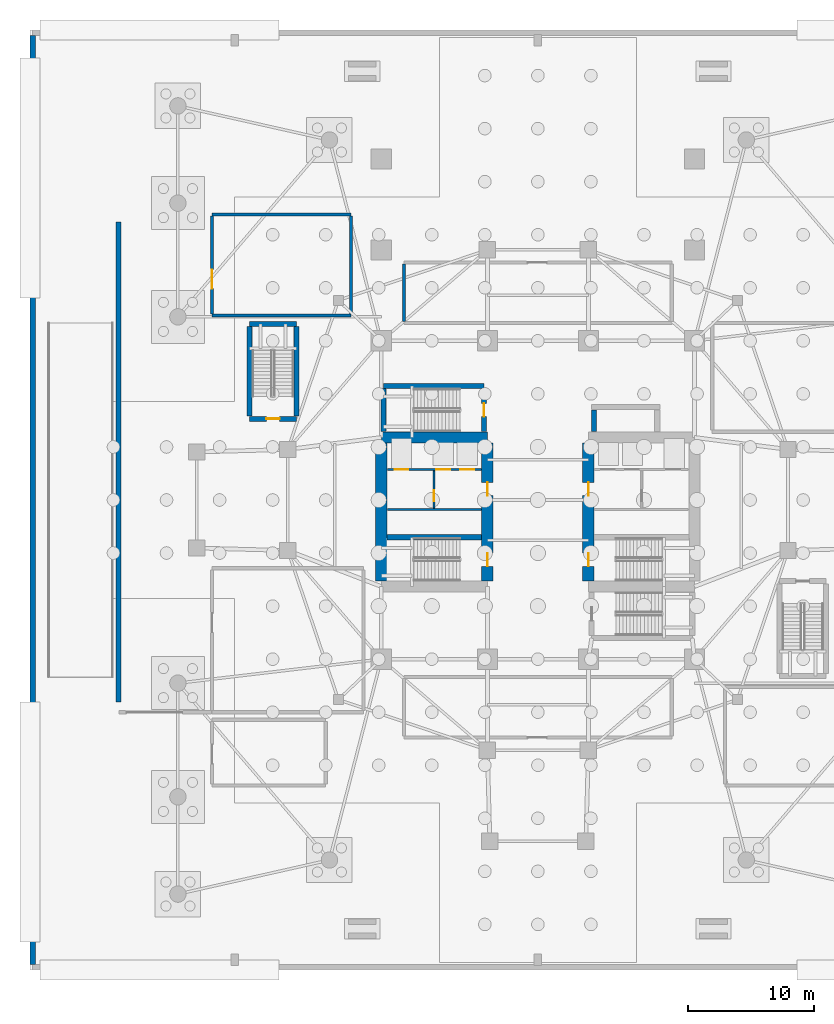
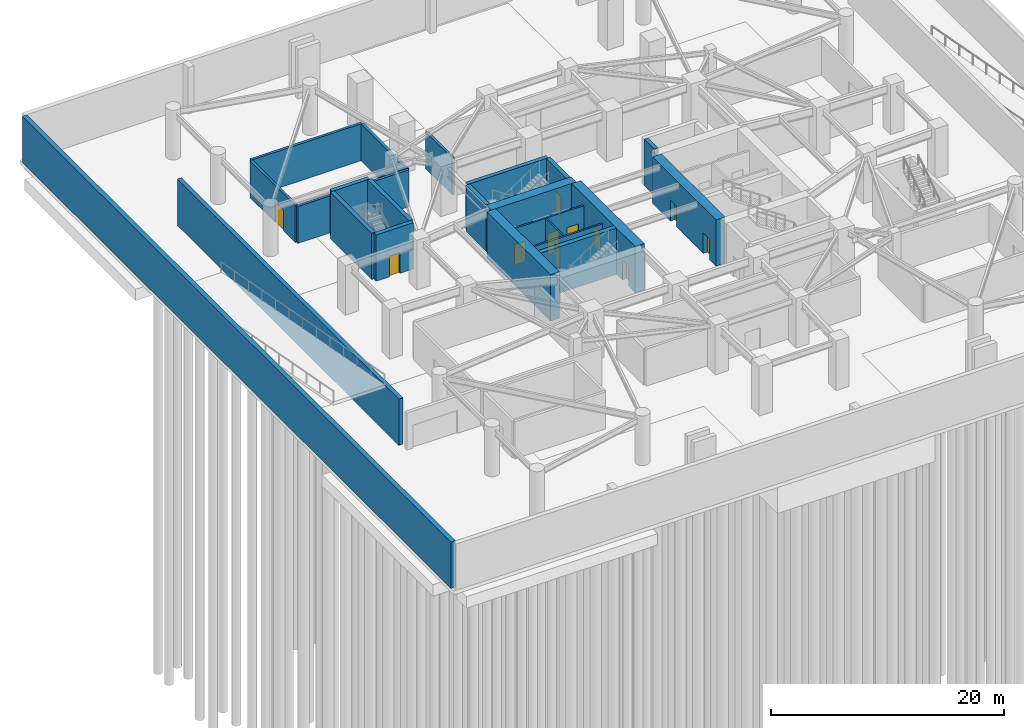
# One storey, part 6 of 14: 23 walls, 11 doors, 11 openings.
"""IFC4 building model written with IfcOpenShell, lengths in metres."""

from ifc_helpers import new_model, si_unit, direction, frame, frame_2d, origin, place, context, subcontext, project, spatial, rectangle, extrude, material, layer, layer_set, type_object, element, fill, save


model = new_model("IFC4")

# Units and contexts
model_context = context("Model", 3, precision=1e-05, world=origin(), true_north=direction((0.0, 1.0)))
body_context = subcontext(model_context, "Body", "Model", "MODEL_VIEW")
ifc_project = project(units=[si_unit("LENGTHUNIT", "METRE"), si_unit("AREAUNIT", "SQUARE_METRE"), si_unit("VOLUMEUNIT", "CUBIC_METRE"), si_unit("PLANEANGLEUNIT", "RADIAN"), si_unit("MASSUNIT", "GRAM", prefix="KILO")], contexts=[model_context])

# Site, building, storey
site_placement = place(None, origin())
site = spatial("IfcSite", under=ifc_project, at=site_placement, CompositionType="ELEMENT")
building_placement = place(site_placement, origin())
building = spatial("IfcBuilding", under=site, at=building_placement, Name="Qingluan Cross Belvedere", CompositionType="ELEMENT")
storey_placement = place(building_placement, frame((0.0, 0.0, -10.39990234375)))
storey = spatial("IfcBuildingStorey", under=building, at=storey_placement, Name="B2", CompositionType="ELEMENT", Elevation=-10.39990234375)

# Walls
ifc_material_1 = material(Name="Concrete C50", Category="concrete")
ifc_layer_1 = layer(ifc_material_1, 0.449951171875, Name="CoreShearWall_450")
ifc_layer_set_1 = layer_set([ifc_layer_1], Name="Concrete C50")
wall_type_1 = type_object("IfcWallType", Name="CoreShearWall_450", PredefinedType="SHEAR", material=ifc_layer_set_1)
wall_1_placement = place(storey_placement, frame((-33.199951171875, -16.0, 0.0), z_axis=(0.0, 0.0, 1.0), x_axis=(0.0, 1.0, 0.0)))
element("IfcWall", 1, at=wall_1_placement, inside=storey, type_object=wall_type_1, Name="Vehicle ramp structural support wall W B2", PredefinedType="SHEAR", context=body_context, shape_type="SweptSolid", body=[
    extrude(rectangle(XDim=38.0, YDim=0.39990234375, at=frame_2d((19.0, 0.0))), origin(), (0.0, 0.0, 1.0), 4.849853515625),
])
wall_2_placement = place(storey_placement, frame((-11.945068359375, -2.9599609375, 0.0), z_axis=(0.0, 0.0, 1.0), x_axis=(1.0, 0.0, 0.0)))
element("IfcWall", 2, at=wall_2_placement, inside=storey, type_object=wall_type_1, Name="Split core W shear wall B2-M", PredefinedType="SHEAR", context=body_context, shape_type="SweptSolid", body=[
    extrude(rectangle(XDim=7.489990234375, YDim=0.449951171875, at=frame_2d((3.7451171875, 0.0))), origin(), (0.0, 0.0, 1.0), 4.849853515625),
])
wall_3_placement = place(storey_placement, frame((-12.219970703125, 9.0400390625, 0.0), z_axis=(0.0, 0.0, 1.0), x_axis=(1.0, 0.0, 0.0)))
element("IfcWall", 3, at=wall_3_placement, inside=storey, type_object=wall_type_1, Name="Stair ST3 structural wall N B2", PredefinedType="SHEAR", context=body_context, shape_type="SweptSolid", body=[
    extrude(rectangle(XDim=7.9599609375, YDim=0.39990234375, at=frame_2d((3.97998046875, 0.0))), origin(), (0.0, 0.0, 1.0), 4.849853515625),
])
wall_4_placement = place(storey_placement, frame((-12.219970703125, 5.405029296875, 0.0), z_axis=(0.0, 0.0, 1.0), x_axis=(0.0, 1.0, 0.0)))
element("IfcWall", 4, at=wall_4_placement, inside=storey, type_object=wall_type_1, Name="Stair ST3 structural wall W B2", PredefinedType="SHEAR", context=body_context, shape_type="SweptSolid", body=[
    extrude(rectangle(XDim=3.429931640625, YDim=0.39990234375, at=frame_2d((1.71484375, 0.0))), origin(), (0.0, 0.0, 1.0), 4.849853515625),
])

# Wall, opening, door
wall_5_placement = place(storey_placement, frame((-4.260009765625, 5.405029296875, 0.0), z_axis=(0.0, 0.0, 1.0), x_axis=(0.0, 1.0, 0.0)))
wall_5 = element("IfcWall", 5, at=wall_5_placement, inside=storey, type_object=wall_type_1, Name="Stair ST3 structural wall E B2", PredefinedType="SHEAR", context=body_context, shape_type="SweptSolid", body=[
    extrude(rectangle(XDim=3.429931640625, YDim=0.39990234375, at=frame_2d((1.71484375, 0.0))), origin(), (0.0, 0.0, 1.0), 4.849853515625),
])
opening_1_placement = place(wall_5_placement, frame((1.195068359375, 0.0, 0.0)))
opening_1 = element("IfcOpeningElement", 6, at=opening_1_placement, cuts=wall_5, Name="Opening FD-B11", PredefinedType="OPENING", context=body_context, shape_type="SweptSolid", body=[
    extrude(rectangle(XDim=1.050048828125, YDim=2.14990234375, at=frame_2d((0.52490234375, 1.074951171875))), frame((0.0, 0.2099609375, 0.0), z_axis=(0.0, -1.0, 0.0), x_axis=(1.0, 0.0, 0.0)), (0.0, 0.0, 1.0), 0.419921875),
])
ifc_material_2 = material(Name="Steel Class B smoke-seal fire door", Category="steel")
door_type_1 = type_object("IfcDoorType", Name="StairLobbyFireDoor_FDB", OperationType="NOTDEFINED", PredefinedType="DOOR", material=ifc_material_2)
door_1_placement = place(opening_1_placement, origin())
door_1 = element("IfcDoor", 7, at=door_1_placement, inside=storey, type_object=door_type_1, Name="Smoke-proof stair ST3 fire door B2", OperationType="SINGLE_SWING_RIGHT", OverallHeight=2.14990234375, OverallWidth=1.050048828125, PredefinedType="DOOR", context=body_context, shape_type="SweptSolid", body=[
    extrude(rectangle(XDim=1.050048828125, YDim=2.14990234375, at=frame_2d((0.52490234375, 1.074951171875))), frame((0.0, 0.02490234375, 0.0), z_axis=(0.0, -1.0, 0.0), x_axis=(1.0, 0.0, 0.0)), (0.0, 0.0, 1.0), 0.050048828125),
])
fill(opening_1, door_1)

# Wall
wall_6_placement = place(storey_placement, frame((-22.820068359375, 13.949951171875, 0.0), z_axis=(0.0, 0.0, 1.0), x_axis=(1.0, 0.0, 0.0)))
element("IfcWall", 8, at=wall_6_placement, inside=storey, type_object=wall_type_1, Name="Stair ST5 structural wall N B2", PredefinedType="SHEAR", context=body_context, shape_type="SweptSolid", body=[
    extrude(rectangle(XDim=3.699951171875, YDim=0.39990234375, at=frame_2d((1.85009765625, 0.0))), origin(), (0.0, 0.0, 1.0), 4.849853515625),
])

# Wall, opening, door
wall_7_placement = place(storey_placement, frame((-22.820068359375, 6.429931640625, 0.0), z_axis=(0.0, 0.0, 1.0), x_axis=(1.0, 0.0, 0.0)))
wall_7 = element("IfcWall", 9, at=wall_7_placement, inside=storey, type_object=wall_type_1, Name="Stair ST5 structural wall S B2", PredefinedType="SHEAR", context=body_context, shape_type="SweptSolid", body=[
    extrude(rectangle(XDim=3.699951171875, YDim=0.39990234375, at=frame_2d((1.85009765625, 0.0))), origin(), (0.0, 0.0, 1.0), 4.849853515625),
])
opening_2_placement = place(wall_7_placement, frame((1.320068359375, 0.0, 0.0)))
opening_2 = element("IfcOpeningElement", 10, at=opening_2_placement, cuts=wall_7, Name="Opening FD-B11", PredefinedType="OPENING", context=body_context, shape_type="SweptSolid", body=[
    extrude(rectangle(XDim=1.050048828125, YDim=2.14990234375, at=frame_2d((0.52490234375, 1.074951171875))), frame((0.0, 0.2099609375, 0.0), z_axis=(0.0, -1.0, 0.0), x_axis=(1.0, 0.0, 0.0)), (0.0, 0.0, 1.0), 0.419921875),
])
door_2_placement = place(opening_2_placement, origin())
door_2 = element("IfcDoor", 11, at=door_2_placement, inside=storey, type_object=door_type_1, Name="Podium stair ST5 smoke-proof fire door B2", OperationType="SINGLE_SWING_RIGHT", OverallHeight=2.14990234375, OverallWidth=1.050048828125, PredefinedType="DOOR", context=body_context, shape_type="SweptSolid", body=[
    extrude(rectangle(XDim=1.050048828125, YDim=2.14990234375, at=frame_2d((0.52490234375, 1.074951171875))), frame((0.0, 0.02490234375, 0.0), z_axis=(0.0, -1.0, 0.0), x_axis=(1.0, 0.0, 0.0)), (0.0, 0.0, 1.0), 0.050048828125),
])
fill(opening_2, door_2)

# Walls
for number, where, z_axis, x_axis, name in (
    (12, (-22.820068359375, 6.635009765625, 0.0), (0.0, 0.0, 1.0), (0.0, 1.0, 0.0), "Stair ST5 structural wall W B2"),
    (13, (-19.1201171875, 6.635009765625, 0.0), (0.0, 0.0, 1.0), (0.0, 1.0, 0.0), "Stair ST5 structural wall E B2"),
):
    element("IfcWall", number, at=place(storey_placement, frame(where, z_axis=z_axis, x_axis=x_axis)), inside=storey, type_object=wall_type_1, Name=name, PredefinedType="SHEAR", context=body_context, shape_type="SweptSolid", body=[
        extrude(rectangle(XDim=7.110107421875, YDim=0.39990234375, at=frame_2d((3.55517578125, 0.0))), origin(), (0.0, 0.0, 1.0), 4.849853515625),
    ])
wall_8_placement = place(storey_placement, frame((4.449951171875, 5.405029296875, 0.0), z_axis=(0.0, 0.0, 1.0), x_axis=(0.0, 1.0, 0.0)))
element("IfcWall", 14, at=wall_8_placement, inside=storey, type_object=wall_type_1, Name="Express shuttle core wall B2-W", PredefinedType="SHEAR", context=body_context, shape_type="SweptSolid", body=[
    extrude(rectangle(XDim=1.73486328125, YDim=0.39990234375, at=frame_2d((0.867431640625, 0.0))), origin(), (0.0, 0.0, 1.0), 4.849853515625),
])
ifc_material_3 = material(Name="Concrete C70", Category="concrete")
ifc_layer_2 = layer(ifc_material_3, 0.89990234375, Name="CoreShearWall_900")
ifc_layer_set_2 = layer_set([ifc_layer_2], Name="Concrete C70")
wall_type_2 = type_object("IfcWallType", Name="CoreShearWall_900", PredefinedType="SHEAR", material=ifc_layer_set_2)
wall_9_placement = place(storey_placement, frame((-12.39990234375, 4.949951171875, 0.0), z_axis=(0.0, 0.0, 1.0), x_axis=(1.0, 0.0, 0.0)))
element("IfcWall", 15, at=wall_9_placement, inside=storey, type_object=wall_type_2, Name="Split core W shear wall B2-N", PredefinedType="SHEAR", context=body_context, shape_type="SweptSolid", body=[
    extrude(rectangle(XDim=8.39990234375, YDim=0.89990234375, at=frame_2d((4.199951171875, 0.0))), origin(), (0.0, 0.0, 1.0), 4.849853515625),
])
wall_10_placement = place(storey_placement, frame((-12.39990234375, -6.39501953125, 0.0), z_axis=(0.0, 0.0, 1.0), x_axis=(0.0, 1.0, 0.0)))
element("IfcWall", 16, at=wall_10_placement, inside=storey, type_object=wall_type_2, Name="Split core W shear wall B2-W", PredefinedType="SHEAR", context=body_context, shape_type="SweptSolid", body=[
    extrude(rectangle(XDim=10.89013671875, YDim=0.89990234375, at=frame_2d((5.445068359375, 0.0))), origin(), (0.0, 0.0, 1.0), 4.849853515625),
])

# Wall, openings, doors
wall_11_placement = place(storey_placement, frame((-4.0, -6.39501953125, 0.0), z_axis=(0.0, 0.0, 1.0), x_axis=(0.0, 1.0, 0.0)))
wall_11 = element("IfcWall", 17, at=wall_11_placement, inside=storey, type_object=wall_type_2, Name="Split core W shear wall B2-E", PredefinedType="SHEAR", context=body_context, shape_type="SweptSolid", body=[
    extrude(rectangle(XDim=10.89013671875, YDim=0.89990234375, at=frame_2d((5.445068359375, 0.0))), origin(), (0.0, 0.0, 1.0), 4.849853515625),
])
opening_3_placement = place(wall_11_placement, frame((1.14501953125, 0.0, 0.0)))
opening_3 = element("IfcOpeningElement", 18, at=opening_3_placement, cuts=wall_11, Name="Opening FD-B11", PredefinedType="OPENING", context=body_context, shape_type="SweptSolid", body=[
    extrude(rectangle(XDim=1.050048828125, YDim=2.14990234375, at=frame_2d((0.52490234375, 1.074951171875))), frame((0.0, 0.4599609375, 0.0), z_axis=(0.0, -1.0, 0.0), x_axis=(1.0, 0.0, 0.0)), (0.0, 0.0, 1.0), 0.919921875),
])
opening_4_placement = place(wall_11_placement, frame((6.7451171875, 0.0, 0.0)))
opening_4 = element("IfcOpeningElement", 19, at=opening_4_placement, cuts=wall_11, Name="Opening FD-B11", PredefinedType="OPENING", context=body_context, shape_type="SweptSolid", body=[
    extrude(rectangle(XDim=1.050048828125, YDim=2.14990234375, at=frame_2d((0.52490234375, 1.074951171875))), frame((0.0, 0.4599609375, 0.0), z_axis=(0.0, -1.0, 0.0), x_axis=(1.0, 0.0, 0.0)), (0.0, 0.0, 1.0), 0.919921875),
])
door_3_placement = place(opening_3_placement, origin())
door_3 = element("IfcDoor", 20, at=door_3_placement, inside=storey, type_object=door_type_1, Name="Smoke-proof stair ST1 fire door B2", OperationType="SINGLE_SWING_RIGHT", OverallHeight=2.14990234375, OverallWidth=1.050048828125, PredefinedType="DOOR", context=body_context, shape_type="SweptSolid", body=[
    extrude(rectangle(XDim=1.050048828125, YDim=2.14990234375, at=frame_2d((0.52490234375, 1.074951171875))), frame((0.0, 0.02490234375, 0.0), z_axis=(0.0, -1.0, 0.0), x_axis=(1.0, 0.0, 0.0)), (0.0, 0.0, 1.0), 0.050048828125),
])
fill(opening_3, door_3)
door_4_placement = place(opening_4_placement, origin())
door_4 = element("IfcDoor", 21, at=door_4_placement, inside=storey, type_object=door_type_1, Name="Firefighting lobby West fire door B2", OperationType="SINGLE_SWING_RIGHT", OverallHeight=2.14990234375, OverallWidth=1.050048828125, PredefinedType="DOOR", context=body_context, shape_type="SweptSolid", body=[
    extrude(rectangle(XDim=1.050048828125, YDim=2.14990234375, at=frame_2d((0.52490234375, 1.074951171875))), frame((0.0, 0.02490234375, 0.0), z_axis=(0.0, -1.0, 0.0), x_axis=(1.0, 0.0, 0.0)), (0.0, 0.0, 1.0), 0.050048828125),
])
fill(opening_4, door_4)

wall_12_placement = place(storey_placement, frame((4.0, -6.39501953125, 0.0), z_axis=(0.0, 0.0, 1.0), x_axis=(0.0, 1.0, 0.0)))
wall_12 = element("IfcWall", 22, at=wall_12_placement, inside=storey, type_object=wall_type_2, Name="Split core E shear wall B2-W", PredefinedType="SHEAR", context=body_context, shape_type="SweptSolid", body=[
    extrude(rectangle(XDim=10.89013671875, YDim=0.89990234375, at=frame_2d((5.445068359375, 0.0))), origin(), (0.0, 0.0, 1.0), 4.849853515625),
])
opening_5_placement = place(wall_12_placement, frame((1.14501953125, 0.0, 0.0)))
opening_5 = element("IfcOpeningElement", 23, at=opening_5_placement, cuts=wall_12, Name="Opening FD-B11", PredefinedType="OPENING", context=body_context, shape_type="SweptSolid", body=[
    extrude(rectangle(XDim=1.050048828125, YDim=2.14990234375, at=frame_2d((0.52490234375, 1.074951171875))), frame((0.0, 0.4599609375, 0.0), z_axis=(0.0, -1.0, 0.0), x_axis=(1.0, 0.0, 0.0)), (0.0, 0.0, 1.0), 0.919921875),
])
opening_6_placement = place(wall_12_placement, frame((6.7451171875, 0.0, 0.0)))
opening_6 = element("IfcOpeningElement", 24, at=opening_6_placement, cuts=wall_12, Name="Opening FD-B11", PredefinedType="OPENING", context=body_context, shape_type="SweptSolid", body=[
    extrude(rectangle(XDim=1.050048828125, YDim=2.14990234375, at=frame_2d((0.52490234375, 1.074951171875))), frame((0.0, 0.4599609375, 0.0), z_axis=(0.0, -1.0, 0.0), x_axis=(1.0, 0.0, 0.0)), (0.0, 0.0, 1.0), 0.919921875),
])
door_5_placement = place(opening_5_placement, origin())
door_5 = element("IfcDoor", 25, at=door_5_placement, inside=storey, type_object=door_type_1, Name="Smoke-proof stair ST2 fire door B2", OperationType="SINGLE_SWING_LEFT", OverallHeight=2.14990234375, OverallWidth=1.050048828125, PredefinedType="DOOR", context=body_context, shape_type="SweptSolid", body=[
    extrude(rectangle(XDim=1.050048828125, YDim=2.14990234375, at=frame_2d((0.52490234375, 1.074951171875))), frame((0.0, 0.02490234375, 0.0), z_axis=(0.0, -1.0, 0.0), x_axis=(1.0, 0.0, 0.0)), (0.0, 0.0, 1.0), 0.050048828125),
])
fill(opening_5, door_5)
door_6_placement = place(opening_6_placement, origin())
door_6 = element("IfcDoor", 26, at=door_6_placement, inside=storey, type_object=door_type_1, Name="Firefighting lobby East fire door B2", OperationType="SINGLE_SWING_LEFT", OverallHeight=2.14990234375, OverallWidth=1.050048828125, PredefinedType="DOOR", context=body_context, shape_type="SweptSolid", body=[
    extrude(rectangle(XDim=1.050048828125, YDim=2.14990234375, at=frame_2d((0.52490234375, 1.074951171875))), frame((0.0, 0.02490234375, 0.0), z_axis=(0.0, -1.0, 0.0), x_axis=(1.0, 0.0, 0.0)), (0.0, 0.0, 1.0), 0.050048828125),
])
fill(opening_6, door_6)

# Walls
ifc_material_4 = material(Name="Concrete C40", Category="concrete")
ifc_layer_3 = layer(ifc_material_4, 0.300048828125, Name="FireCompartmentWall_300")
ifc_layer_set_3 = layer_set([ifc_layer_3], Name="Concrete C40")
wall_type_3 = type_object("IfcWallType", Name="FireCompartmentWall_300", PredefinedType="SOLIDWALL", material=ifc_layer_set_3)
wall_13_placement = place(storey_placement, frame((-10.60009765625, 14.1298828125, 0.0), z_axis=(0.0, 0.0, 1.0), x_axis=(0.0, 1.0, 0.0)))
element("IfcWall", 27, at=wall_13_placement, inside=storey, type_object=wall_type_3, Name="Partition B2:fire_tank_n:W", PredefinedType="SOLIDWALL", context=body_context, shape_type="SweptSolid", body=[
    extrude(rectangle(XDim=4.5400390625, YDim=0.25, at=frame_2d((2.27001953125, 0.0))), origin(), (0.0, 0.0, 1.0), 3.869873046875),
])
for number, where, z_axis, x_axis, name in (
    (28, (-25.800048828125, 14.60009765625, 0.0), (0.0, 0.0, 1.0), (1.0, 0.0, 0.0), "Partition B2:substation_hv:S"),
    (29, (-25.800048828125, 22.60009765625, 0.0), (0.0, 0.0, 1.0), (1.0, 0.0, 0.0), "Partition B2:substation_hv:N"),
):
    element("IfcWall", number, at=place(storey_placement, frame(where, z_axis=z_axis, x_axis=x_axis)), inside=storey, type_object=wall_type_3, Name=name, PredefinedType="SOLIDWALL", context=body_context, shape_type="SweptSolid", body=[
        extrude(rectangle(XDim=11.0, YDim=0.25, at=frame_2d((5.5, 0.0))), origin(), (0.0, 0.0, 1.0), 3.869873046875),
    ])

# Wall, opening, door
wall_14_placement = place(storey_placement, frame((-25.800048828125, 14.72998046875, 0.0), z_axis=(0.0, 0.0, 1.0), x_axis=(0.0, 1.0, 0.0)))
wall_14 = element("IfcWall", 30, at=wall_14_placement, inside=storey, type_object=wall_type_3, Name="Partition B2:substation_hv:W", PredefinedType="SOLIDWALL", context=body_context, shape_type="SweptSolid", body=[
    extrude(rectangle(XDim=7.739990234375, YDim=0.25, at=frame_2d((3.8701171875, 0.0))), origin(), (0.0, 0.0, 1.0), 3.869873046875),
])
opening_7_placement = place(wall_14_placement, frame((2.0, 0.0, 0.0)))
opening_7 = element("IfcOpeningElement", 31, at=opening_7_placement, cuts=wall_14, Name="Opening FD-A15", PredefinedType="OPENING", context=body_context, shape_type="SweptSolid", body=[
    extrude(rectangle(XDim=1.5, YDim=2.14990234375, at=frame_2d((0.75, 1.074951171875))), frame((0.0, 0.135009765625, 0.0), z_axis=(0.0, -1.0, 0.0), x_axis=(1.0, 0.0, 0.0)), (0.0, 0.0, 1.0), 0.27001953125),
])
ifc_material_5 = material(Name="Insulated steel Class A double fire door", Category="steel")
door_type_2 = type_object("IfcDoorType", Name="PlantDoubleFireDoor_FDA", OperationType="DOUBLE_DOOR_SINGLE_SWING", PredefinedType="DOOR", material=ifc_material_5)
door_7_placement = place(opening_7_placement, origin())
door_7 = element("IfcDoor", 32, at=door_7_placement, inside=storey, type_object=door_type_2, Name="High-voltage transformer substation room B2 door", OperationType="DOUBLE_DOOR_SINGLE_SWING", OverallHeight=2.14990234375, OverallWidth=1.5, PredefinedType="DOOR", context=body_context, shape_type="SweptSolid", body=[
    extrude(rectangle(XDim=1.5, YDim=2.14990234375, at=frame_2d((0.75, 1.074951171875))), frame((0.0, 0.02490234375, 0.0), z_axis=(0.0, -1.0, 0.0), x_axis=(1.0, 0.0, 0.0)), (0.0, 0.0, 1.0), 0.050048828125),
])
fill(opening_7, door_7)

# Walls
wall_15_placement = place(storey_placement, frame((-14.800048828125, 14.72998046875, 0.0), z_axis=(0.0, 0.0, 1.0), x_axis=(0.0, 1.0, 0.0)))
element("IfcWall", 33, at=wall_15_placement, inside=storey, type_object=wall_type_3, Name="Partition B2:substation_hv:E", PredefinedType="SOLIDWALL", context=body_context, shape_type="SweptSolid", body=[
    extrude(rectangle(XDim=7.739990234375, YDim=0.25, at=frame_2d((3.8701171875, 0.0))), origin(), (0.0, 0.0, 1.0), 3.869873046875),
])
ifc_material_6 = material(Name="Concrete C40", Category="concrete")
ifc_layer_4 = layer(ifc_material_6, 0.449951171875, Name="RetainingWall_450")
ifc_layer_set_4 = layer_set([ifc_layer_4], Name="Concrete C40")
wall_type_4 = type_object("IfcWallType", Name="RetainingWall_450", PredefinedType="USERDEFINED", material=ifc_layer_set_4)
wall_16_placement = place(storey_placement, frame((-40.0, 36.77001953125, 0.0), z_axis=(0.0, 0.0, 1.0), x_axis=(0.0, -1.0, 0.0)))
element("IfcWall", 34, at=wall_16_placement, inside=storey, type_object=wall_type_4, Name="Basement perimeter retaining wall B2-W", ObjectType="RETAININGWALL", PredefinedType="USERDEFINED", context=body_context, shape_type="SweptSolid", body=[
    extrude(rectangle(XDim=73.5400390625, YDim=0.449951171875, at=frame_2d((36.77001953125, 0.0))), origin(), (0.0, 0.0, 1.0), 4.849853515625),
])

# Wall, openings, doors
ifc_material_7 = material(Name="Concrete C40", Category="concrete")
ifc_layer_5 = layer(ifc_material_7, 0.219970703125, Name="ShaftEnclosureWall_250")
ifc_layer_set_5 = layer_set([ifc_layer_5], Name="Concrete C40")
wall_type_5 = type_object("IfcWallType", Name="ShaftEnclosureWall_250", PredefinedType="SOLIDWALL", material=ifc_layer_set_5)
wall_17_placement = place(storey_placement, frame((-11.89990234375, 2.409912109375, 0.0), z_axis=(0.0, 0.0, 1.0), x_axis=(1.0, 0.0, 0.0)))
wall_17 = element("IfcWall", 35, at=wall_17_placement, inside=storey, type_object=wall_type_5, Name="Core-W north hoistway wall B2", PredefinedType="SOLIDWALL", context=body_context, shape_type="SweptSolid", body=[
    extrude(rectangle(XDim=7.419921875, YDim=0.179931640625, at=frame_2d((3.7099609375, 0.0))), origin(), (0.0, 0.0, 1.0), 3.869873046875),
])
opening_8_placement = place(wall_17_placement, frame((0.550048828125, 0.0, 0.0)))
opening_8 = element("IfcOpeningElement", 36, at=opening_8_placement, cuts=wall_17, Name="Opening LD-11", PredefinedType="OPENING", context=body_context, shape_type="SweptSolid", body=[
    extrude(rectangle(XDim=1.10009765625, YDim=2.14990234375, at=frame_2d((0.550048828125, 1.074951171875))), frame((0.0, 0.099853515625, 0.0), z_axis=(0.0, -1.0, 0.0), x_axis=(1.0, 0.0, 0.0)), (0.0, 0.0, 1.0), 0.199951171875),
])
opening_9_placement = place(wall_17_placement, frame((3.85009765625, 0.0, 0.0)))
opening_9 = element("IfcOpeningElement", 37, at=opening_9_placement, cuts=wall_17, Name="Opening LD-11", PredefinedType="OPENING", context=body_context, shape_type="SweptSolid", body=[
    extrude(rectangle(XDim=1.10009765625, YDim=2.14990234375, at=frame_2d((0.550048828125, 1.074951171875))), frame((0.0, 0.099853515625, 0.0), z_axis=(0.0, -1.0, 0.0), x_axis=(1.0, 0.0, 0.0)), (0.0, 0.0, 1.0), 0.199951171875),
])
opening_10_placement = place(wall_17_placement, frame((5.75, 0.0, 0.0)))
opening_10 = element("IfcOpeningElement", 38, at=opening_10_placement, cuts=wall_17, Name="Opening LD-11", PredefinedType="OPENING", context=body_context, shape_type="SweptSolid", body=[
    extrude(rectangle(XDim=1.10009765625, YDim=2.14990234375, at=frame_2d((0.550048828125, 1.074951171875))), frame((0.0, 0.099853515625, 0.0), z_axis=(0.0, -1.0, 0.0), x_axis=(1.0, 0.0, 0.0)), (0.0, 0.0, 1.0), 0.199951171875),
])
ifc_material_8 = material(Name="Brushed stainless steel centre-opening lift landing door", Category="steel")
door_type_3 = type_object("IfcDoorType", Name="LiftLandingSlidingDoor_1100", OperationType="DOUBLE_DOOR_SLIDING", PredefinedType="DOOR", material=ifc_material_8)
door_8_placement = place(opening_8_placement, origin())
door_8 = element("IfcDoor", 39, at=door_8_placement, inside=storey, type_object=door_type_3, Name="Lift landing sliding door FL1 B2", OperationType="DOUBLE_DOOR_SLIDING", OverallHeight=2.14990234375, OverallWidth=1.10009765625, PredefinedType="DOOR", context=body_context, shape_type="SweptSolid", body=[
    extrude(rectangle(XDim=1.10009765625, YDim=2.14990234375, at=frame_2d((0.550048828125, 1.074951171875))), frame((0.0, 0.02490234375, 0.0), z_axis=(0.0, -1.0, 0.0), x_axis=(1.0, 0.0, 0.0)), (0.0, 0.0, 1.0), 0.050048828125),
])
fill(opening_8, door_8)
door_9_placement = place(opening_9_placement, origin())
door_9 = element("IfcDoor", 40, at=door_9_placement, inside=storey, type_object=door_type_3, Name="Lift landing sliding door LP1 B2", OperationType="DOUBLE_DOOR_SLIDING", OverallHeight=2.14990234375, OverallWidth=1.10009765625, PredefinedType="DOOR", context=body_context, shape_type="SweptSolid", body=[
    extrude(rectangle(XDim=1.10009765625, YDim=2.14990234375, at=frame_2d((0.550048828125, 1.074951171875))), frame((0.0, 0.02490234375, 0.0), z_axis=(0.0, -1.0, 0.0), x_axis=(1.0, 0.0, 0.0)), (0.0, 0.0, 1.0), 0.050048828125),
])
fill(opening_9, door_9)
door_10_placement = place(opening_10_placement, origin())
door_10 = element("IfcDoor", 41, at=door_10_placement, inside=storey, type_object=door_type_3, Name="Lift landing sliding door LP2 B2", OperationType="DOUBLE_DOOR_SLIDING", OverallHeight=2.14990234375, OverallWidth=1.10009765625, PredefinedType="DOOR", context=body_context, shape_type="SweptSolid", body=[
    extrude(rectangle(XDim=1.10009765625, YDim=2.14990234375, at=frame_2d((0.550048828125, 1.074951171875))), frame((0.0, 0.02490234375, 0.0), z_axis=(0.0, -1.0, 0.0), x_axis=(1.0, 0.0, 0.0)), (0.0, 0.0, 1.0), 0.050048828125),
])
fill(opening_10, door_10)

# Wall
wall_18_placement = place(storey_placement, frame((-11.89990234375, -0.75, 0.0), z_axis=(0.0, 0.0, 1.0), x_axis=(1.0, 0.0, 0.0)))
element("IfcWall", 42, at=wall_18_placement, inside=storey, type_object=wall_type_5, Name="Core-W mid hoistway wall B2", PredefinedType="SOLIDWALL", context=body_context, shape_type="SweptSolid", body=[
    extrude(rectangle(XDim=7.419921875, YDim=0.179931640625, at=frame_2d((3.7099609375, 0.0))), origin(), (0.0, 0.0, 1.0), 3.869873046875),
])

# Wall, opening, door
wall_19_placement = place(storey_placement, frame((-8.219970703125, -0.64990234375, 0.0), z_axis=(0.0, 0.0, 1.0), x_axis=(0.0, 1.0, 0.0)))
wall_19 = element("IfcWall", 43, at=wall_19_placement, inside=storey, type_object=wall_type_5, Name="Core-W service corridor wall B2", PredefinedType="SOLIDWALL", context=body_context, shape_type="SweptSolid", body=[
    extrude(rectangle(XDim=2.9599609375, YDim=0.139892578125, at=frame_2d((1.47998046875, 0.0))), origin(), (0.0, 0.0, 1.0), 3.869873046875),
])
opening_11_placement = place(wall_19_placement, frame((0.550048828125, 0.0, 0.0)))
opening_11 = element("IfcOpeningElement", 44, at=opening_11_placement, cuts=wall_19, Name="Opening FD-B10", PredefinedType="OPENING", context=body_context, shape_type="SweptSolid", body=[
    extrude(rectangle(XDim=0.8798828125, YDim=2.10009765625, at=frame_2d((0.43994140625, 1.050048828125))), frame((0.0, 0.079833984375, 0.0), z_axis=(0.0, -1.0, 0.0), x_axis=(1.0, 0.0, 0.0)), (0.0, 0.0, 1.0), 0.159912109375),
])
ifc_material_9 = material(Name="Steel Class B service fire door", Category="steel")
door_type_4 = type_object("IfcDoorType", Name="RiserServiceFireDoor_FDB", OperationType="NOTDEFINED", PredefinedType="DOOR", material=ifc_material_9)
door_11_placement = place(opening_11_placement, origin())
door_11 = element("IfcDoor", 45, at=door_11_placement, inside=storey, type_object=door_type_4, Name="Core-W service room door B2", OperationType="SINGLE_SWING_RIGHT", OverallHeight=2.10009765625, OverallWidth=0.8798828125, PredefinedType="DOOR", context=body_context, shape_type="SweptSolid", body=[
    extrude(rectangle(XDim=0.8798828125, YDim=2.10009765625, at=frame_2d((0.43994140625, 1.050048828125))), frame((0.0, 0.02490234375, 0.0), z_axis=(0.0, -1.0, 0.0), x_axis=(1.0, 0.0, 0.0)), (0.0, 0.0, 1.0), 0.050048828125),
])
fill(opening_11, door_11)

save(model, "model.ifc")
